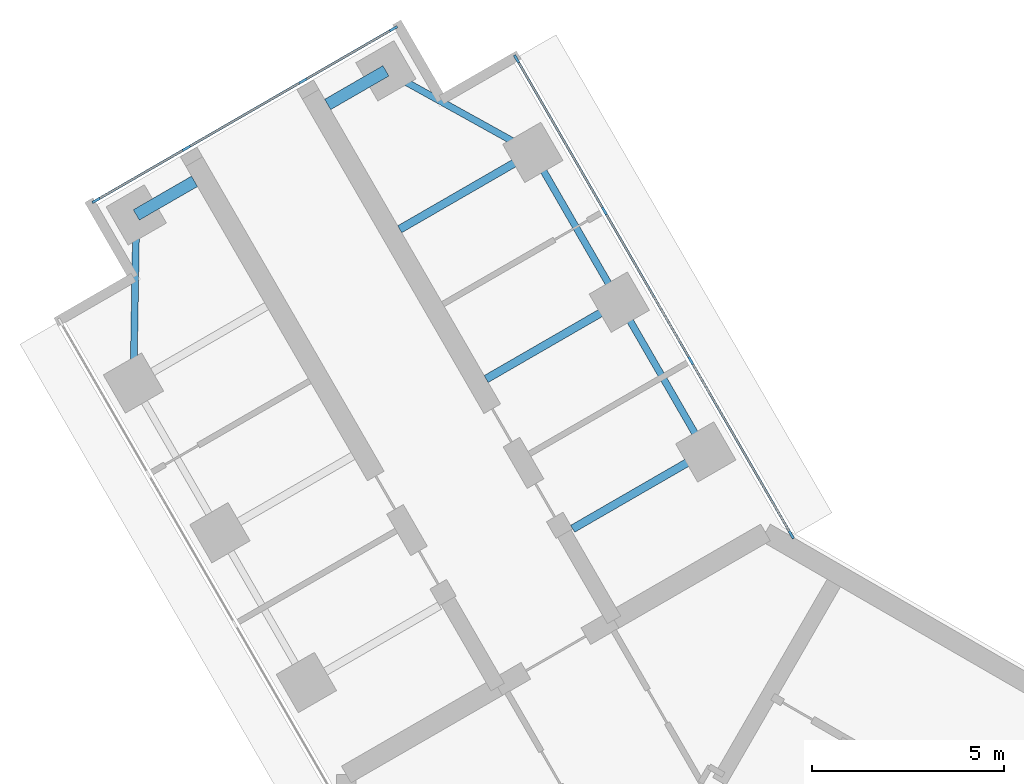
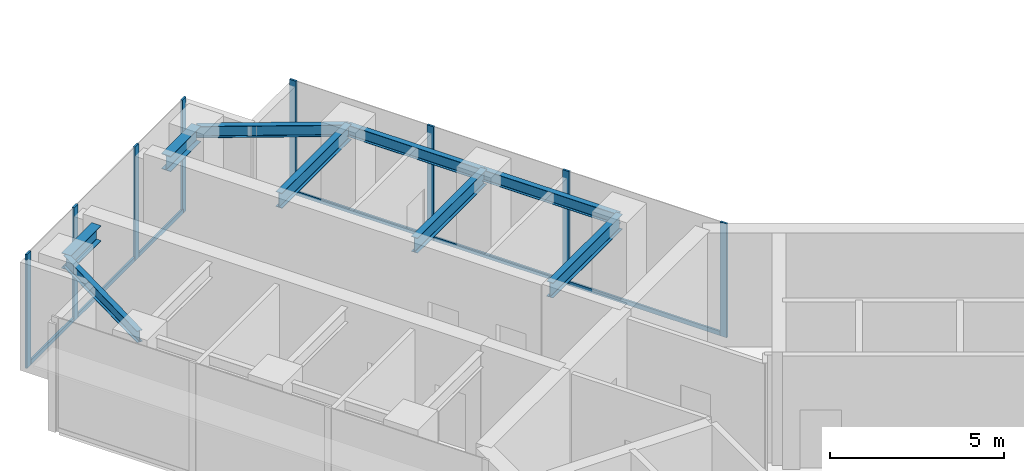
# One storey, part 6 of 17: 14 members, 9 beams, 2 elements without a shape of their own.
"""IFC4 building model written with IfcOpenShell, lengths in metres."""

from ifc_helpers import new_model, si_unit, direction, frame, origin, origin_2d, place, context, subcontext, project, spatial, rectangle, i_section, extrude, material, material_profile, profile_set, type_object, element, aggregate, save


model = new_model("IFC4")

# Units and contexts
model_context = context("Model", 3, precision=1e-05, world=origin(), true_north=direction((0.0, 1.0)))
body_context = subcontext(model_context, "Body", "Model", "MODEL_VIEW")
ifc_project = project(units=[si_unit("LENGTHUNIT", "METRE"), si_unit("AREAUNIT", "SQUARE_METRE"), si_unit("VOLUMEUNIT", "CUBIC_METRE"), si_unit("PLANEANGLEUNIT", "RADIAN"), si_unit("MASSUNIT", "GRAM", prefix="KILO")], contexts=[model_context])

# Site, building, storey
site_placement = place(None, origin())
site = spatial("IfcSite", under=ifc_project, at=site_placement, CompositionType="ELEMENT")
building_placement = place(site_placement, origin())
building = spatial("IfcBuilding", under=site, at=building_placement, Name="Upepo Twin Towers", CompositionType="ELEMENT")
storey_placement = place(building_placement, frame((0.0, 0.0, 198.5)))
storey = spatial("IfcBuildingStorey", under=building, at=storey_placement, Name="L48", CompositionType="ELEMENT", Elevation=198.5)

# Beams
ifc_material_1 = material(Name="Steel S355", Category="steel")
ifc_material_profile_1 = material_profile(ifc_material_1, i_section(OverallWidth=0.177978515625, OverallDepth=0.406494140625, WebThickness=0.0078125, FlangeThickness=0.0126953125, FilletRadius=0.01025390625, at=origin_2d()), Name="UB 406x178x60")
ifc_profile_set_1 = profile_set([ifc_material_profile_1], Name="Steel S355")
beam_type_1 = type_object("IfcBeamType", Name="Beam UB 406x178x60", PredefinedType="BEAM", material=ifc_profile_set_1)
beam_1_placement = place(storey_placement, frame((-16.446044921875, 16.485595703125, 3.5966796875), z_axis=(0.016803880528, 0.999858804832, 0.0), x_axis=(-0.999858804832, 0.016803880528, 0.0)))
element("IfcBeam", 1, at=beam_1_placement, inside=storey, type_object=beam_type_1, Name="T1 nose edge beam BL", PredefinedType="BEAM", context=body_context, shape_type="SweptSolid", body=[
    extrude(i_section(OverallWidth=0.177978515625, OverallDepth=0.406494140625, WebThickness=0.0078125, FlangeThickness=0.0126953125, FilletRadius=0.01025390625, at=origin_2d()), origin(), (0.0, 0.0, 1.0), 4.373291015625),
])
beam_2_placement = place(storey_placement, frame((-1.553955078125, 14.69140625, 3.5966796875), z_axis=(-0.500013631625, 0.866017533419, 0.0), x_axis=(-0.866017533419, -0.500013631625, 0.0)))
element("IfcBeam", 2, at=beam_2_placement, inside=storey, type_object=beam_type_1, Name="T1 edge beam BR 13.5-18.0", PredefinedType="BEAM", context=body_context, shape_type="SweptSolid", body=[
    extrude(i_section(OverallWidth=0.177978515625, OverallDepth=0.406494140625, WebThickness=0.0078125, FlangeThickness=0.0126953125, FilletRadius=0.01025390625, at=origin_2d()), origin(), (0.0, 0.0, 1.0), 4.499755859375),
])
beam_3_placement = place(storey_placement, frame((-3.803955078125, 18.58837890625, 3.5966796875), z_axis=(-0.499990139034, 0.866031096941, 0.0), x_axis=(-0.866031096941, -0.499990139034, 0.0)))
element("IfcBeam", 3, at=beam_3_placement, inside=storey, type_object=beam_type_1, Name="T1 edge beam BR 18.0-22.5", PredefinedType="BEAM", context=body_context, shape_type="SweptSolid", body=[
    extrude(i_section(OverallWidth=0.177978515625, OverallDepth=0.406494140625, WebThickness=0.0078125, FlangeThickness=0.0126953125, FilletRadius=0.01025390625, at=origin_2d()), origin(), (0.0, 0.0, 1.0), 4.5),
])
beam_4_placement = place(storey_placement, frame((-6.053955078125, 22.485595703125, 3.5966796875), z_axis=(-0.874312600038, 0.485363242752, 0.0), x_axis=(-0.485363242752, -0.874312600038, 0.0)))
element("IfcBeam", 4, at=beam_4_placement, inside=storey, type_object=beam_type_1, Name="T1 nose edge beam BR", PredefinedType="BEAM", context=body_context, shape_type="SweptSolid", body=[
    extrude(i_section(OverallWidth=0.177978515625, OverallDepth=0.406494140625, WebThickness=0.0078125, FlangeThickness=0.0126953125, FilletRadius=0.01025390625, at=origin_2d()), origin(), (0.0, 0.0, 1.0), 4.373046875),
])
ifc_material_2 = material(Name="Steel S355", Category="steel")
ifc_material_profile_2 = material_profile(ifc_material_2, i_section(OverallWidth=0.209228515625, OverallDepth=0.533203125, WebThickness=0.010009765625, FlangeThickness=0.015625, FilletRadius=0.0126953125, at=origin_2d()), Name="UB 533x210x92")
ifc_profile_set_2 = profile_set([ifc_material_profile_2], Name="Steel S355")
beam_type_2 = type_object("IfcBeamType", Name="Beam UB 533x210x92", PredefinedType="BEAM", material=ifc_profile_set_2)
for number, where, z_axis, x_axis, name in (
    (5, (-1.553955078125, 14.69140625, 3.533447265625), (-0.866026010844, -0.49999894854, 0.0), (0.49999894854, -0.866026010844, 0.0), "T1 girder BR at 13.5"),
    (6, (-3.803955078125, 18.58837890625, 3.533447265625), (-0.866026010844, -0.49999894854, 0.0), (0.49999894854, -0.866026010844, 0.0), "T1 girder BR at 18.0"),
    (7, (-6.053955078125, 22.485595703125, 3.533447265625), (-0.866026010844, -0.49999894854, 0.0), (0.49999894854, -0.866026010844, 0.0), "T1 girder BR at 22.5"),
):
    element("IfcBeam", number, at=place(storey_placement, frame(where, z_axis=z_axis, x_axis=x_axis)), inside=storey, type_object=beam_type_2, Name=name, PredefinedType="BEAM", context=body_context, shape_type="SweptSolid", body=[
        extrude(i_section(OverallWidth=0.209228515625, OverallDepth=0.533203125, WebThickness=0.010009765625, FlangeThickness=0.015625, FilletRadius=0.0126953125, at=origin_2d()), origin(), (0.0, 0.0, 1.0), 4.0),
    ])
ifc_material_3 = material(Name="Steel S355", Category="steel")
ifc_material_profile_3 = material_profile(ifc_material_3, i_section(OverallWidth=0.31201171875, OverallDepth=0.54345703125, WebThickness=0.0126953125, FlangeThickness=0.020263671875, FilletRadius=0.0126953125, at=origin_2d()), Name="UB 533x312x150")
ifc_profile_set_3 = profile_set([ifc_material_profile_3], Name="Steel S355")
beam_type_3 = type_object("IfcBeamType", Name="Beam UB 533x312x150", PredefinedType="BEAM", material=ifc_profile_set_3)
for number, where, z_axis, x_axis, name in (
    (8, (-16.37255859375, 20.858154296875, 3.5283203125), (0.866036909293, 0.499980071345, 0.0), (-0.499980071345, 0.866036909293, 0.0), "T1 nose beam BL"),
    (9, (-9.87744140625, 24.608154296875, 3.5283203125), (-0.866036909293, -0.499980071345, 0.0), (0.499980071345, -0.866036909293, 0.0), "T1 nose beam BR"),
):
    element("IfcBeam", number, at=place(storey_placement, frame(where, z_axis=z_axis, x_axis=x_axis)), inside=storey, type_object=beam_type_3, Name=name, PredefinedType="BEAM", context=body_context, shape_type="SweptSolid", body=[
        extrude(i_section(OverallWidth=0.31201171875, OverallDepth=0.54345703125, WebThickness=0.0126953125, FlangeThickness=0.020263671875, FilletRadius=0.0126953125, at=origin_2d()), origin(), (0.0, 0.0, 1.0), 1.75),
    ])

# Curtain wall, members
ifc_material_4 = material(Name="Aluminium and fritted glass", Category="aluminium")
curtain_wall_type = type_object("IfcCurtainWallType", Name="Tower curtain wall TW3, fritted glass", PredefinedType="NOTDEFINED", material=ifc_material_4)
curtain_wall_1_placement = place(storey_placement, origin())
curtain_wall_1 = element("IfcCurtainWall", 10, at=curtain_wall_1_placement, inside=storey, type_object=curtain_wall_type, Name="T1 L48 wing B flank R curtain wall", PredefinedType="NOTDEFINED")
ifc_material_5 = material(Name="Aluminium mullion", Category="aluminium")
ifc_material_profile_4 = material_profile(ifc_material_5, rectangle(XDim=0.06494140625, YDim=0.22509765625, at=origin_2d()), Name="MULLION 65x225")
ifc_profile_set_4 = profile_set([ifc_material_profile_4], Name="Aluminium mullion")
member_type_1 = type_object("IfcMemberType", Name="Mullion 65x225 TW3", PredefinedType="MULLION", material=ifc_profile_set_4)
member_1_placement = place(storey_placement, frame((-6.4765625, 24.91748046875, 0.0), z_axis=(0.0, 0.0, 1.0), x_axis=(0.866025388469, 0.500000026527, 0.0)))
member_1 = element("IfcMember", 11, at=member_1_placement, type_object=member_type_1, Name="T1 L48 wing B flank R curtain wall mullion 1", PredefinedType="MULLION", context=body_context, shape_type="SweptSolid", body=[
    extrude(rectangle(XDim=0.06494140625, YDim=0.22509765625, at=origin_2d()), origin(), (0.0, 0.0, 1.0), 4.0),
])
member_2_placement = place(storey_placement, frame((-4.192626953125, 20.9619140625, 0.0), z_axis=(0.0, 0.0, 1.0), x_axis=(0.866025388469, 0.500000026527, 0.0)))
member_2 = element("IfcMember", 12, at=member_2_placement, type_object=member_type_1, Name="T1 L48 wing B flank R curtain wall mullion 2", PredefinedType="MULLION", context=body_context, shape_type="SweptSolid", body=[
    extrude(rectangle(XDim=0.06494140625, YDim=0.22509765625, at=origin_2d()), origin(), (0.0, 0.0, 1.0), 4.0),
])
member_3_placement = place(storey_placement, frame((-1.942626953125, 17.06494140625, 0.0), z_axis=(0.0, 0.0, 1.0), x_axis=(0.866025388469, 0.500000026527, 0.0)))
member_3 = element("IfcMember", 13, at=member_3_placement, type_object=member_type_1, Name="T1 L48 wing B flank R curtain wall mullion 3", PredefinedType="MULLION", context=body_context, shape_type="SweptSolid", body=[
    extrude(rectangle(XDim=0.06494140625, YDim=0.22509765625, at=origin_2d()), origin(), (0.0, 0.0, 1.0), 4.0),
])
member_4_placement = place(storey_placement, frame((0.67236328125, 12.53515625, 0.0), z_axis=(0.0, 0.0, 1.0), x_axis=(0.866025388469, 0.500000026527, 0.0)))
member_4 = element("IfcMember", 14, at=member_4_placement, type_object=member_type_1, Name="T1 L48 wing B flank R curtain wall mullion 4", PredefinedType="MULLION", context=body_context, shape_type="SweptSolid", body=[
    extrude(rectangle(XDim=0.06494140625, YDim=0.22509765625, at=origin_2d()), origin(), (0.0, 0.0, 1.0), 4.0),
])

curtain_wall_2_placement = place(storey_placement, origin())
curtain_wall_2 = element("IfcCurtainWall", 15, at=curtain_wall_2_placement, inside=storey, type_object=curtain_wall_type, Name="T1 L48 wing B nose curtain wall", PredefinedType="NOTDEFINED")
member_5_placement = place(storey_placement, frame((-9.68115234375, 25.703125, 0.0), z_axis=(0.0, 0.0, 1.0), x_axis=(0.500000030502, -0.866025386174, 0.0)))
member_5 = element("IfcMember", 16, at=member_5_placement, type_object=member_type_1, Name="T1 L48 wing B nose curtain wall mullion 1", PredefinedType="MULLION", context=body_context, shape_type="SweptSolid", body=[
    extrude(rectangle(XDim=0.06494140625, YDim=0.22509765625, at=origin_2d()), origin(), (0.0, 0.0, 1.0), 4.0),
])
member_6_placement = place(storey_placement, frame((-12.034423828125, 24.34423828125, 0.0), z_axis=(0.0, 0.0, 1.0), x_axis=(0.500000030502, -0.866025386174, 0.0)))
member_6 = element("IfcMember", 17, at=member_6_placement, type_object=member_type_1, Name="T1 L48 wing B nose curtain wall mullion 2", PredefinedType="MULLION", context=body_context, shape_type="SweptSolid", body=[
    extrude(rectangle(XDim=0.06494140625, YDim=0.22509765625, at=origin_2d()), origin(), (0.0, 0.0, 1.0), 4.0),
])
member_7_placement = place(storey_placement, frame((-15.0654296875, 22.59423828125, 0.0), z_axis=(0.0, 0.0, 1.0), x_axis=(0.500000030502, -0.866025386174, 0.0)))
member_7 = element("IfcMember", 18, at=member_7_placement, type_object=member_type_1, Name="T1 L48 wing B nose curtain wall mullion 3", PredefinedType="MULLION", context=body_context, shape_type="SweptSolid", body=[
    extrude(rectangle(XDim=0.06494140625, YDim=0.22509765625, at=origin_2d()), origin(), (0.0, 0.0, 1.0), 4.0),
])
member_8_placement = place(storey_placement, frame((-17.4189453125, 21.235595703125, 0.0), z_axis=(0.0, 0.0, 1.0), x_axis=(0.500000030502, -0.866025386174, 0.0)))
member_8 = element("IfcMember", 19, at=member_8_placement, type_object=member_type_1, Name="T1 L48 wing B nose curtain wall mullion 4", PredefinedType="MULLION", context=body_context, shape_type="SweptSolid", body=[
    extrude(rectangle(XDim=0.06494140625, YDim=0.22509765625, at=origin_2d()), origin(), (0.0, 0.0, 1.0), 4.0),
])

# Member
ifc_material_6 = material(Name="Aluminium transom", Category="aluminium")
ifc_material_profile_5 = material_profile(ifc_material_6, rectangle(XDim=0.06494140625, YDim=0.14990234375, at=origin_2d()), Name="TRANSOM 65x150")
ifc_profile_set_5 = profile_set([ifc_material_profile_5], Name="Aluminium transom")
member_type_2 = type_object("IfcMemberType", Name="Transom 65x150 TW3", PredefinedType="USERDEFINED", material=ifc_profile_set_5)
member_9_placement = place(storey_placement, frame((-6.460205078125, 24.889404296875, 0.074951171875), z_axis=(0.500005646842, -0.866022143554, 0.0), x_axis=(0.866022143554, 0.500005646842, 0.0)))
member_9 = element("IfcMember", 20, at=member_9_placement, type_object=member_type_2, Name="T1 L48 wing B flank R curtain wall transom 1", ObjectType="TRANSOM", PredefinedType="USERDEFINED", context=body_context, shape_type="SweptSolid", body=[
    extrude(rectangle(XDim=0.06494140625, YDim=0.14990234375, at=origin_2d()), origin(), (0.0, 0.0, 1.0), 4.50244140625),
])

member_10_placement = place(storey_placement, frame((-4.176513671875, 20.933837890625, 0.074951171875), z_axis=(0.500005184116, -0.866022410713, 0.0), x_axis=(0.866022410713, 0.500005184116, 0.0)))
member_10 = element("IfcMember", 21, at=member_10_placement, type_object=member_type_2, Name="T1 L48 wing B flank R curtain wall transom 2", ObjectType="TRANSOM", PredefinedType="USERDEFINED", context=body_context, shape_type="SweptSolid", body=[
    extrude(rectangle(XDim=0.06494140625, YDim=0.14990234375, at=origin_2d()), origin(), (0.0, 0.0, 1.0), 4.43505859375),
])

member_11_placement = place(storey_placement, frame((-1.926513671875, 17.036865234375, 0.074951171875), z_axis=(0.500007480159, -0.86602108507, 0.0), x_axis=(0.86602108507, 0.500007480159, 0.0)))
member_11 = element("IfcMember", 22, at=member_11_placement, type_object=member_type_2, Name="T1 L48 wing B flank R curtain wall transom 3", ObjectType="TRANSOM", PredefinedType="USERDEFINED", context=body_context, shape_type="SweptSolid", body=[
    extrude(rectangle(XDim=0.06494140625, YDim=0.14990234375, at=origin_2d()), origin(), (0.0, 0.0, 1.0), 5.16552734375),
])

aggregate(curtain_wall_1, [member_1, member_2, member_3, member_4, member_9, member_10, member_11])

member_12_placement = place(storey_placement, frame((-9.709228515625, 25.686767578125, 0.074951171875), z_axis=(-0.866036909293, -0.499980071345, 0.0), x_axis=(0.499980071345, -0.866036909293, 0.0)))
member_12 = element("IfcMember", 23, at=member_12_placement, type_object=member_type_2, Name="T1 L48 wing B nose curtain wall transom 1", ObjectType="TRANSOM", PredefinedType="USERDEFINED", context=body_context, shape_type="SweptSolid", body=[
    extrude(rectangle(XDim=0.06494140625, YDim=0.14990234375, at=origin_2d()), origin(), (0.0, 0.0, 1.0), 2.65234375),
])

member_13_placement = place(storey_placement, frame((-12.0625, 24.328125, 0.074951171875), z_axis=(-0.866025804792, -0.499999305434, 0.0), x_axis=(0.499999305434, -0.866025804792, 0.0)))
member_13 = element("IfcMember", 24, at=member_13_placement, type_object=member_type_2, Name="T1 L48 wing B nose curtain wall transom 2", ObjectType="TRANSOM", PredefinedType="USERDEFINED", context=body_context, shape_type="SweptSolid", body=[
    extrude(rectangle(XDim=0.06494140625, YDim=0.14990234375, at=origin_2d()), origin(), (0.0, 0.0, 1.0), 3.43505859375),
])

member_14_placement = place(storey_placement, frame((-15.09375, 22.578125, 0.074951171875), z_axis=(-0.865997053448, -0.500049101008, 0.0), x_axis=(0.500049101008, -0.865997053448, 0.0)))
member_14 = element("IfcMember", 25, at=member_14_placement, type_object=member_type_2, Name="T1 L48 wing B nose curtain wall transom 3", ObjectType="TRANSOM", PredefinedType="USERDEFINED", context=body_context, shape_type="SweptSolid", body=[
    extrude(rectangle(XDim=0.06494140625, YDim=0.14990234375, at=origin_2d()), origin(), (0.0, 0.0, 1.0), 2.652587890625),
])

aggregate(curtain_wall_2, [member_5, member_6, member_7, member_8, member_12, member_13, member_14])

save(model, "model.ifc")
